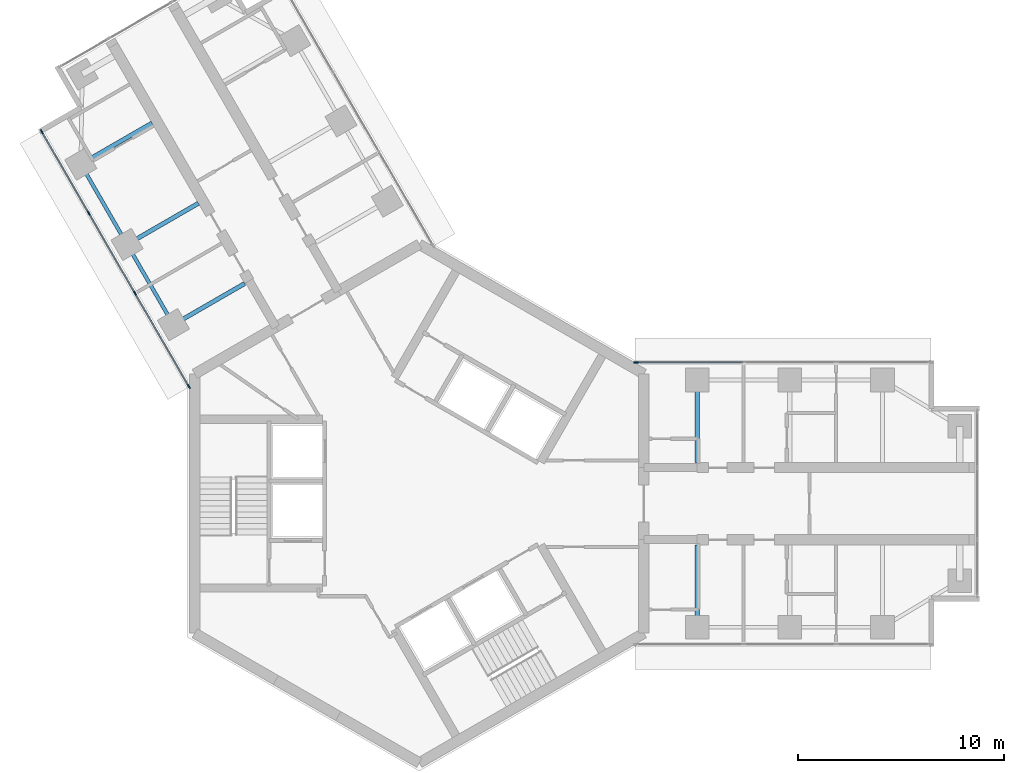
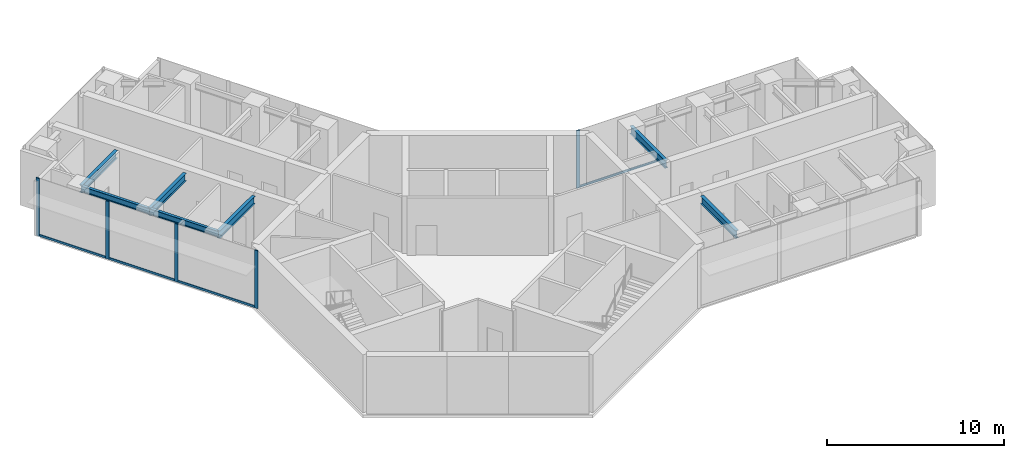
# One storey, part 5 of 17: 9 members, 7 beams, 2 elements without a shape of their own.
"""IFC4 building model written with IfcOpenShell, lengths in metres."""

import ifcopenshell
import ifcopenshell.guid

model = None  # the IFC model being written
_history = None  # IfcOwnerHistory: only IFC2X3 demands one
_inside = {}  # id of a spatial element -> (the spatial element, [elements in it])
_under = {}  # id of a project, library or spatial element -> (it, [spatial elements below it])
_declared = {}  # id of a project -> (the project, [libraries it declares])
_typed = {}  # id of a type object -> (the type object, [elements of that type])
_made_of = {}  # id of a material, layer set ... -> (it, [elements and type objects made of it])


def new_model(schema):
    """Start an empty IFC model of exactly this schema.

    Asked for "IFC4X3", IfcOpenShell would pick the latest addendum, in which some entities
    have other attributes; the version numbers below select the first issue.
    IFC2X3 requires an IfcOwnerHistory on every rooted entity: one is made here for all.
    """
    global model, _history
    if schema == "IFC4X3":
        model = ifcopenshell.file(schema_version=(4, 3, 0, 0))
    else:
        model = ifcopenshell.file(schema=schema)
    _inside.clear()
    _under.clear()
    _declared.clear()
    _typed.clear()
    _made_of.clear()
    _history = None
    if model.schema == "IFC2X3":
        org = make("IfcOrganization", Name="unknown")
        user = make(
            "IfcPersonAndOrganization",
            ThePerson=make("IfcPerson", FamilyName="unknown"),
            TheOrganization=org,
        )
        app = make(
            "IfcApplication",
            ApplicationDeveloper=org,
            Version="unknown",
            ApplicationFullName="unknown",
            ApplicationIdentifier="unknown",
        )
        _history = make(
            "IfcOwnerHistory",
            OwningUser=user,
            OwningApplication=app,
            ChangeAction="ADDED",
            CreationDate=0,
        )
    return model


def make(cls, **values):
    """One entity of the class cls with the attributes given. An attribute that is None is left unset."""
    return model.create_entity(
        cls, **{name: value for name, value in values.items() if value is not None}
    )


def rooted(cls, **values):
    """An entity with a GlobalId (a new one), such as an element, a storey or a relation."""
    return make(cls, GlobalId=ifcopenshell.guid.new(), OwnerHistory=_history, **values)


def si_unit(unit_type, name, prefix=None):
    """IfcSIUnit, for example si_unit("LENGTHUNIT", "METRE", prefix="MILLI")."""
    return make("IfcSIUnit", UnitType=unit_type, Prefix=prefix, Name=name)


def assignment(units):
    """IfcUnitAssignment: the units of a project."""
    return None if units is None else make("IfcUnitAssignment", Units=units)


def point(xyz):
    """IfcCartesianPoint."""
    return None if xyz is None else make("IfcCartesianPoint", Coordinates=xyz)


def direction(xyz):
    """IfcDirection."""
    return None if xyz is None else make("IfcDirection", DirectionRatios=xyz)


def frame(location, z_axis=None, x_axis=None):
    """IfcAxis2Placement3D, a coordinate frame: its origin and axes. An axis left out is left unset."""
    return make(
        "IfcAxis2Placement3D",
        Location=point(location),
        Axis=direction(z_axis),
        RefDirection=direction(x_axis),
    )


def frame_2d(location, x_axis=None):
    """IfcAxis2Placement2D, a coordinate frame in the plane: its origin and x axis."""
    return make(
        "IfcAxis2Placement2D", Location=point(location), RefDirection=direction(x_axis)
    )


def origin():
    """The frame at (0, 0, 0) with its axes left unset."""
    return frame((0.0, 0.0, 0.0))


def origin_2d():
    """The frame at (0, 0) in the plane with its x axis left unset."""
    return frame_2d((0.0, 0.0))


def place(relative_to, where):
    """IfcLocalPlacement: puts the frame where relative to a parent placement (None: the world)."""
    return make(
        "IfcLocalPlacement", PlacementRelTo=relative_to, RelativePlacement=where
    )


def context(
    kind, dimensions, precision=None, world=None, true_north=None, identifier=None
):
    """IfcGeometricRepresentationContext, for example the 3D "Model" context."""
    return make(
        "IfcGeometricRepresentationContext",
        ContextIdentifier=identifier,
        ContextType=kind,
        CoordinateSpaceDimension=dimensions,
        Precision=precision,
        WorldCoordinateSystem=world,
        TrueNorth=true_north,
    )


def subcontext(parent, identifier, kind, view, scale=None):
    """IfcGeometricRepresentationSubContext, for example "Body" below "Model"."""
    return make(
        "IfcGeometricRepresentationSubContext",
        ContextIdentifier=identifier,
        ContextType=kind,
        ParentContext=parent,
        TargetScale=scale,
        TargetView=view,
    )


def project(units=None, contexts=None):
    """IfcProject with its units and contexts."""
    return rooted(
        "IfcProject",
        Name="project",
        RepresentationContexts=contexts,
        UnitsInContext=assignment(units),
    )


def spatial(cls, under=None, at=None, **own):
    """A site, building, storey or space (cls), placed at a placement, below another one or the project."""
    s = rooted(cls, ObjectPlacement=at, **own)
    if under is not None:
        _under.setdefault(under.id(), (under, []))[1].append(s)
    return s


def profile(cls, at=None, kind="AREA", **sizes):
    """A parametric profile (cls). Its sizes go by their IFC names, for example OverallWidth=200.0."""
    return make(cls, ProfileType=kind, Position=at, **sizes)


def rectangle(**sizes):
    """IfcRectangleProfileDef."""
    return profile("IfcRectangleProfileDef", **sizes)


def i_section(**sizes):
    """IfcIShapeProfileDef."""
    return profile("IfcIShapeProfileDef", **sizes)


def extrude(swept, where, along, depth):
    """IfcExtrudedAreaSolid: the profile swept, set in the frame where, extruded along a direction by depth."""
    return make(
        "IfcExtrudedAreaSolid",
        SweptArea=swept,
        Position=where,
        ExtrudedDirection=direction(along),
        Depth=depth,
    )


def shape(context_of_items, identifier, shape_type, items):
    """IfcShapeRepresentation: the items that make up one representation, for example the "Body"."""
    return make(
        "IfcShapeRepresentation",
        ContextOfItems=context_of_items,
        RepresentationIdentifier=identifier,
        RepresentationType=shape_type,
        Items=items,
    )


def material(Name=None, Category=None):
    """IfcMaterial."""
    return make("IfcMaterial", Name=Name, Category=Category)


def material_profile(
    of_material, cross_section, Name=None, Category=None, Priority=None
):
    """IfcMaterialProfile: a cross section and its material."""
    return make(
        "IfcMaterialProfile",
        Name=Name,
        Material=of_material,
        Profile=cross_section,
        Priority=Priority,
        Category=Category,
    )


def profile_set(profiles, Name=None, composite=None):
    """IfcMaterialProfileSet."""
    return make(
        "IfcMaterialProfileSet",
        Name=Name,
        MaterialProfiles=profiles,
        CompositeProfile=composite,
    )


def made_of(thing, what):
    """Note that an element or type object is made of a material, layer set ...; save() writes the relation."""
    if what is not None:
        _made_of.setdefault(what.id(), (what, []))[1].append(thing)
    return thing


def type_object(cls, material=None, **own):
    """A type object (cls), such as IfcWallType, which elements share."""
    return made_of(rooted(cls, **own), material)


def element(
    cls,
    number,
    at=None,
    inside=None,
    cuts=None,
    type_object=None,
    material=None,
    context=None,
    identifier="Body",
    shape_type=None,
    held_by="IfcProductDefinitionShape",
    body=None,
    shapes=None,
    **own,
):
    """One element of the class cls, such as IfcWall. Its Tag is "e" and its number.

    at: its placement. inside: the storey or other place that contains it. cuts: it is an
    opening in that element (IfcRelVoidsElement). A single representation is given by context,
    identifier, shape_type and body (its items); several are given by shapes. held_by: the class
    of the entity that holds the representations. save() writes the other relations.
    """
    e = rooted(cls, Tag="e%d" % number, ObjectPlacement=at, **own)
    if body is not None:
        shapes = [shape(context, identifier, shape_type, body)]
    if shapes is not None:
        e.Representation = make(held_by, Representations=shapes)
    if inside is not None:
        _inside.setdefault(inside.id(), (inside, []))[1].append(e)
    if cuts is not None:
        rooted(
            "IfcRelVoidsElement", RelatingBuildingElement=cuts, RelatedOpeningElement=e
        )
    if type_object is not None:
        _typed.setdefault(type_object.id(), (type_object, []))[1].append(e)
    return made_of(e, material)


def aggregate(whole, parts):
    """IfcRelAggregates: a whole, such as a stair, and the parts it consists of."""
    return rooted("IfcRelAggregates", RelatingObject=whole, RelatedObjects=parts)


def save(model, path):
    """Write the relations noted so far, then the file.

    IfcRelAggregates (storeys below a building ...), IfcRelContainedInSpatialStructure (elements
    in a storey), IfcRelDefinesByType, IfcRelAssociatesMaterial and IfcRelDeclares: one each for
    every whole, place, type object, material and project.
    """
    for whole, parts in _under.values():
        aggregate(whole, parts)
    for where, things in _inside.values():
        rooted(
            "IfcRelContainedInSpatialStructure",
            RelatedElements=things,
            RelatingStructure=where,
        )
    for kind, things in _typed.values():
        rooted("IfcRelDefinesByType", RelatedObjects=things, RelatingType=kind)
    for what, things in _made_of.values():
        rooted("IfcRelAssociatesMaterial", RelatedObjects=things, RelatingMaterial=what)
    for by, libraries in _declared.values():
        rooted("IfcRelDeclares", RelatingContext=by, RelatedDefinitions=libraries)
    model.write(path)


model = new_model("IFC4")

# Units and contexts
model_context = context("Model", 3, precision=1e-05, world=origin(), true_north=direction((0.0, 1.0)))
body_context = subcontext(model_context, "Body", "Model", "MODEL_VIEW")
ifc_project = project(units=[si_unit("LENGTHUNIT", "METRE"), si_unit("AREAUNIT", "SQUARE_METRE"), si_unit("VOLUMEUNIT", "CUBIC_METRE"), si_unit("PLANEANGLEUNIT", "RADIAN"), si_unit("MASSUNIT", "GRAM", prefix="KILO")], contexts=[model_context])

# Site, building, storey
site_placement = place(None, origin())
site = spatial("IfcSite", under=ifc_project, at=site_placement, CompositionType="ELEMENT")
building_placement = place(site_placement, origin())
building = spatial("IfcBuilding", under=site, at=building_placement, Name="Upepo Twin Towers", CompositionType="ELEMENT")
storey_placement = place(building_placement, frame((0.0, 0.0, 206.5)))
storey = spatial("IfcBuildingStorey", under=building, at=storey_placement, Name="L50", CompositionType="ELEMENT", Elevation=206.5)

# Beams
ifc_material_1 = material(Name="Steel S355", Category="steel")
ifc_material_profile_1 = material_profile(ifc_material_1, i_section(OverallWidth=0.177978515625, OverallDepth=0.406494140625, WebThickness=0.0078125, FlangeThickness=0.0126953125, FilletRadius=0.01025390625, at=origin_2d()), Name="UB 406x178x60")
ifc_profile_set_1 = profile_set([ifc_material_profile_1], Name="Steel S355")
beam_type_1 = type_object("IfcBeamType", Name="Beam UB 406x178x60", PredefinedType="BEAM", material=ifc_profile_set_1)
beam_1_placement = place(storey_placement, frame((-11.946044921875, 8.69140625, 3.5966796875), z_axis=(-0.500013631625, 0.866017533419, 0.0), x_axis=(-0.866017533419, -0.500013631625, 0.0)))
element("IfcBeam", 1, at=beam_1_placement, inside=storey, type_object=beam_type_1, Name="T1 edge beam BL 13.5-18.0", PredefinedType="BEAM", context=body_context, shape_type="SweptSolid", body=[
    extrude(i_section(OverallWidth=0.177978515625, OverallDepth=0.406494140625, WebThickness=0.0078125, FlangeThickness=0.0126953125, FilletRadius=0.01025390625, at=origin_2d()), origin(), (0.0, 0.0, 1.0), 4.499755859375),
])
beam_2_placement = place(storey_placement, frame((-14.196044921875, 12.58837890625, 3.5966796875), z_axis=(-0.499990139034, 0.866031096941, 0.0), x_axis=(-0.866031096941, -0.499990139034, 0.0)))
element("IfcBeam", 2, at=beam_2_placement, inside=storey, type_object=beam_type_1, Name="T1 edge beam BL 18.0-22.5", PredefinedType="BEAM", context=body_context, shape_type="SweptSolid", body=[
    extrude(i_section(OverallWidth=0.177978515625, OverallDepth=0.406494140625, WebThickness=0.0078125, FlangeThickness=0.0126953125, FilletRadius=0.01025390625, at=origin_2d()), origin(), (0.0, 0.0, 1.0), 4.5),
])
ifc_material_2 = material(Name="Steel S355", Category="steel")
ifc_material_profile_2 = material_profile(ifc_material_2, i_section(OverallWidth=0.209228515625, OverallDepth=0.533203125, WebThickness=0.010009765625, FlangeThickness=0.015625, FilletRadius=0.0126953125, at=origin_2d()), Name="UB 533x210x92")
ifc_profile_set_2 = profile_set([ifc_material_profile_2], Name="Steel S355")
beam_type_2 = type_object("IfcBeamType", Name="Beam UB 533x210x92", PredefinedType="BEAM", material=ifc_profile_set_2)
for number, where, z_axis, x_axis, name in (
    (3, (13.5, 6.0, 3.533447265625), (0.0, -1.0, 0.0), (1.0, 0.0, 0.0), "T1 girder AL at 13.5"),
    (4, (13.5, -6.0, 3.533447265625), (0.0, 1.0, 0.0), (-1.0, 0.0, 0.0), "T1 girder AR at 13.5"),
    (5, (-11.946044921875, 8.69140625, 3.533447265625), (0.866026010844, 0.49999894854, 0.0), (-0.49999894854, 0.866026010844, 0.0), "T1 girder BL at 13.5"),
    (6, (-14.196044921875, 12.58837890625, 3.533447265625), (0.866026010844, 0.49999894854, 0.0), (-0.49999894854, 0.866026010844, 0.0), "T1 girder BL at 18.0"),
    (7, (-16.446044921875, 16.485595703125, 3.533447265625), (0.866026010844, 0.49999894854, 0.0), (-0.49999894854, 0.866026010844, 0.0), "T1 girder BL at 22.5"),
):
    element("IfcBeam", number, at=place(storey_placement, frame(where, z_axis=z_axis, x_axis=x_axis)), inside=storey, type_object=beam_type_2, Name=name, PredefinedType="BEAM", context=body_context, shape_type="SweptSolid", body=[
        extrude(i_section(OverallWidth=0.209228515625, OverallDepth=0.533203125, WebThickness=0.010009765625, FlangeThickness=0.015625, FilletRadius=0.0126953125, at=origin_2d()), origin(), (0.0, 0.0, 1.0), 4.0),
    ])

# Curtain wall, member
ifc_material_3 = material(Name="Aluminium and fritted glass", Category="aluminium")
curtain_wall_type = type_object("IfcCurtainWallType", Name="Tower curtain wall TW3, fritted glass", PredefinedType="NOTDEFINED", material=ifc_material_3)
curtain_wall_1_placement = place(storey_placement, origin())
curtain_wall_1 = element("IfcCurtainWall", 8, at=curtain_wall_1_placement, inside=storey, type_object=curtain_wall_type, Name="T1 L50 wing A flank L curtain wall", PredefinedType="NOTDEFINED")
ifc_material_4 = material(Name="Aluminium mullion", Category="aluminium")
ifc_material_profile_3 = material_profile(ifc_material_4, rectangle(XDim=0.06494140625, YDim=0.22509765625, at=origin_2d()), Name="MULLION 65x225")
ifc_profile_set_3 = profile_set([ifc_material_profile_3], Name="Aluminium mullion")
member_type_1 = type_object("IfcMemberType", Name="Mullion 65x225 TW3", PredefinedType="MULLION", material=ifc_profile_set_3)
member_1_placement = place(storey_placement, frame((10.51953125, 6.85009765625, 0.0), z_axis=(0.0, 0.0, 1.0), x_axis=(0.0, 1.0, 0.0)))
member_1 = element("IfcMember", 9, at=member_1_placement, type_object=member_type_1, Name="T1 L50 wing A flank L curtain wall mullion 1", PredefinedType="MULLION", context=body_context, shape_type="SweptSolid", body=[
    extrude(rectangle(XDim=0.06494140625, YDim=0.22509765625, at=origin_2d()), origin(), (0.0, 0.0, 1.0), 4.0),
])

# Curtain wall, members
curtain_wall_2_placement = place(storey_placement, origin())
curtain_wall_2 = element("IfcCurtainWall", 10, at=curtain_wall_2_placement, inside=storey, type_object=curtain_wall_type, Name="T1 L50 wing B flank L curtain wall", PredefinedType="NOTDEFINED")
member_2_placement = place(storey_placement, frame((-11.192138671875, 5.685302734375, 0.0), z_axis=(0.0, 0.0, 1.0), x_axis=(-0.866025388469, -0.500000026527, 0.0)))
member_2 = element("IfcMember", 11, at=member_2_placement, type_object=member_type_1, Name="T1 L50 wing B flank L curtain wall mullion 1", PredefinedType="MULLION", context=body_context, shape_type="SweptSolid", body=[
    extrude(rectangle(XDim=0.06494140625, YDim=0.22509765625, at=origin_2d()), origin(), (0.0, 0.0, 1.0), 4.0),
])
member_3_placement = place(storey_placement, frame((-13.807373046875, 10.21484375, 0.0), z_axis=(0.0, 0.0, 1.0), x_axis=(-0.866025388469, -0.500000026527, 0.0)))
member_3 = element("IfcMember", 12, at=member_3_placement, type_object=member_type_1, Name="T1 L50 wing B flank L curtain wall mullion 2", PredefinedType="MULLION", context=body_context, shape_type="SweptSolid", body=[
    extrude(rectangle(XDim=0.06494140625, YDim=0.22509765625, at=origin_2d()), origin(), (0.0, 0.0, 1.0), 4.0),
])
member_4_placement = place(storey_placement, frame((-16.057373046875, 14.112060546875, 0.0), z_axis=(0.0, 0.0, 1.0), x_axis=(-0.866025388469, -0.500000026527, 0.0)))
member_4 = element("IfcMember", 13, at=member_4_placement, type_object=member_type_1, Name="T1 L50 wing B flank L curtain wall mullion 3", PredefinedType="MULLION", context=body_context, shape_type="SweptSolid", body=[
    extrude(rectangle(XDim=0.06494140625, YDim=0.22509765625, at=origin_2d()), origin(), (0.0, 0.0, 1.0), 4.0),
])
member_5_placement = place(storey_placement, frame((-18.341064453125, 18.067626953125, 0.0), z_axis=(0.0, 0.0, 1.0), x_axis=(-0.866025388469, -0.500000026527, 0.0)))
member_5 = element("IfcMember", 14, at=member_5_placement, type_object=member_type_1, Name="T1 L50 wing B flank L curtain wall mullion 4", PredefinedType="MULLION", context=body_context, shape_type="SweptSolid", body=[
    extrude(rectangle(XDim=0.06494140625, YDim=0.22509765625, at=origin_2d()), origin(), (0.0, 0.0, 1.0), 4.0),
])

# Member
ifc_material_5 = material(Name="Aluminium transom", Category="aluminium")
ifc_material_profile_4 = material_profile(ifc_material_5, rectangle(XDim=0.06494140625, YDim=0.14990234375, at=origin_2d()), Name="TRANSOM 65x150")
ifc_profile_set_4 = profile_set([ifc_material_profile_4], Name="Aluminium transom")
member_type_2 = type_object("IfcMemberType", Name="Transom 65x150 TW3", PredefinedType="USERDEFINED", material=ifc_profile_set_4)
member_6_placement = place(storey_placement, frame((10.552001953125, 6.85009765625, 0.074951171875), z_axis=(1.0, 0.0, 0.0), x_axis=(0.0, 1.0, 0.0)))
member_6 = element("IfcMember", 15, at=member_6_placement, type_object=member_type_2, Name="T1 L50 wing A flank L curtain wall transom 1", ObjectType="TRANSOM", PredefinedType="USERDEFINED", context=body_context, shape_type="SweptSolid", body=[
    extrude(rectangle(XDim=0.06494140625, YDim=0.14990234375, at=origin_2d()), origin(), (0.0, 0.0, 1.0), 5.16552734375),
])

aggregate(curtain_wall_1, [member_1, member_6])

member_7_placement = place(storey_placement, frame((-11.208251953125, 5.71337890625, 0.074951171875), z_axis=(-0.500007480159, 0.86602108507, 0.0), x_axis=(-0.86602108507, -0.500007480159, 0.0)))
member_7 = element("IfcMember", 16, at=member_7_placement, type_object=member_type_2, Name="T1 L50 wing B flank L curtain wall transom 1", ObjectType="TRANSOM", PredefinedType="USERDEFINED", context=body_context, shape_type="SweptSolid", body=[
    extrude(rectangle(XDim=0.06494140625, YDim=0.14990234375, at=origin_2d()), origin(), (0.0, 0.0, 1.0), 5.16552734375),
])

member_8_placement = place(storey_placement, frame((-13.823486328125, 10.2431640625, 0.074951171875), z_axis=(-0.500005184116, 0.866022410713, 0.0), x_axis=(-0.866022410713, -0.500005184116, 0.0)))
member_8 = element("IfcMember", 17, at=member_8_placement, type_object=member_type_2, Name="T1 L50 wing B flank L curtain wall transom 2", ObjectType="TRANSOM", PredefinedType="USERDEFINED", context=body_context, shape_type="SweptSolid", body=[
    extrude(rectangle(XDim=0.06494140625, YDim=0.14990234375, at=origin_2d()), origin(), (0.0, 0.0, 1.0), 4.43505859375),
])

member_9_placement = place(storey_placement, frame((-16.073486328125, 14.14013671875, 0.074951171875), z_axis=(-0.499982167615, 0.866035699072, 0.0), x_axis=(-0.866035699072, -0.499982167615, 0.0)))
member_9 = element("IfcMember", 18, at=member_9_placement, type_object=member_type_2, Name="T1 L50 wing B flank L curtain wall transom 3", ObjectType="TRANSOM", PredefinedType="USERDEFINED", context=body_context, shape_type="SweptSolid", body=[
    extrude(rectangle(XDim=0.06494140625, YDim=0.14990234375, at=origin_2d()), origin(), (0.0, 0.0, 1.0), 4.502685546875),
])

aggregate(curtain_wall_2, [member_2, member_3, member_4, member_5, member_7, member_8, member_9])

save(model, "model.ifc")
